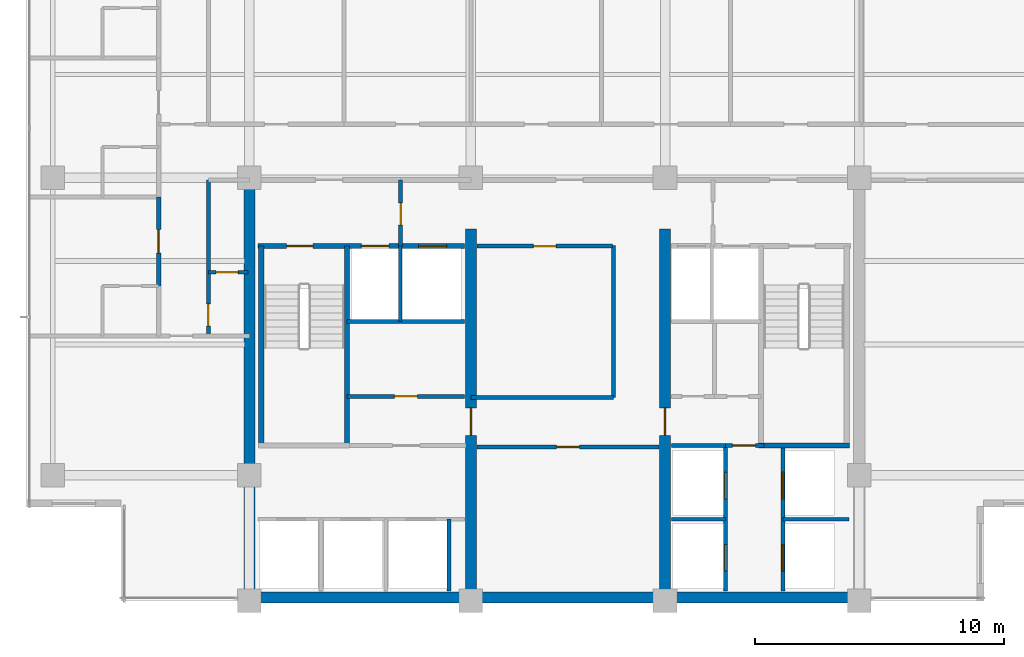
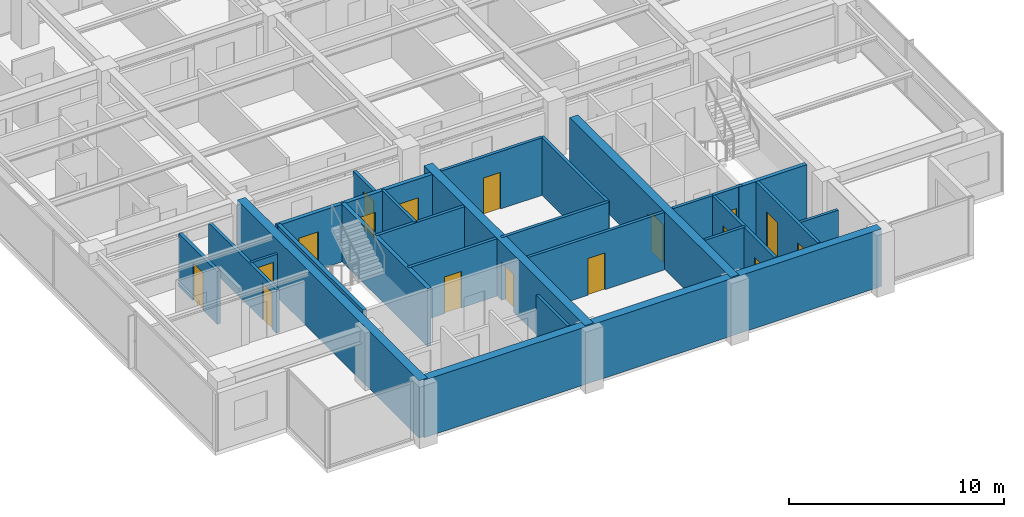
# One storey, part 7 of 15: 26 walls, 17 doors, 17 openings.
"""IFC4 building model written with IfcOpenShell, lengths in metres."""

from ifc_helpers import new_model, si_unit, direction, frame, frame_2d, origin, place, context, subcontext, project, spatial, rectangle, extrude, material, layer, layer_set, type_object, element, fill, save


model = new_model("IFC4")

# Units and contexts
model_context = context("Model", 3, precision=1e-05, world=origin(), true_north=direction((0.0, 1.0)))
body_context = subcontext(model_context, "Body", "Model", "MODEL_VIEW")
ifc_project = project(units=[si_unit("LENGTHUNIT", "METRE"), si_unit("AREAUNIT", "SQUARE_METRE"), si_unit("VOLUMEUNIT", "CUBIC_METRE"), si_unit("PLANEANGLEUNIT", "RADIAN"), si_unit("MASSUNIT", "GRAM", prefix="KILO")], contexts=[model_context])

# Site, building, storey
site_placement = place(None, origin())
site = spatial("IfcSite", under=ifc_project, at=site_placement, CompositionType="ELEMENT")
building_placement = place(site_placement, origin())
building = spatial("IfcBuilding", under=site, at=building_placement, Name="Qalmaran Belvedere Hotel", CompositionType="ELEMENT")
storey_placement = place(building_placement, frame((0.0, 0.0, 203.89990234375)))
storey = spatial("IfcBuildingStorey", under=building, at=storey_placement, Name="L51", CompositionType="ELEMENT", Elevation=203.89990234375)

# Wall
ifc_material_1 = material(Name="Concrete C50/60", Category="concrete")
ifc_layer_1 = layer(ifc_material_1, 0.449951171875, Name="Concrete C50/60")
ifc_layer_set_1 = layer_set([ifc_layer_1], Name="Concrete C50/60")
wall_type_1 = type_object("IfcWallType", Name="WL-CORE-450-C50", PredefinedType="SHEAR", material=ifc_layer_set_1)
wall_1_placement = place(storey_placement, frame((20.300048828125, 3.5, 0.0), z_axis=(0.0, 0.0, 1.0), x_axis=(0.0, 1.0, 0.0)))
element("IfcWall", 1, at=wall_1_placement, inside=storey, type_object=wall_type_1, Name="L51 West Core Shear Wall", PredefinedType="SHEAR", context=body_context, shape_type="SweptSolid", body=[
    extrude(rectangle(XDim=16.89990234375, YDim=0.449951171875, at=frame_2d((8.449951171875, 0.0))), origin(), (0.0, 0.0, 1.0), 3.260009765625),
])

# Wall, opening, door
wall_2_placement = place(storey_placement, frame((29.199951171875, 3.5, 0.0), z_axis=(0.0, 0.0, 1.0), x_axis=(0.0, 1.0, 0.0)))
wall_2 = element("IfcWall", 2, at=wall_2_placement, inside=storey, type_object=wall_type_1, Name="L51 Core West Spine Shear Wall", PredefinedType="SHEAR", context=body_context, shape_type="SweptSolid", body=[
    extrude(rectangle(XDim=14.949951171875, YDim=0.449951171875, at=frame_2d((7.47509765625, 0.0))), origin(), (0.0, 0.0, 1.0), 3.260009765625),
])
opening_1_placement = place(wall_2_placement, frame((7.75, 0.0, 0.0), z_axis=(0.0, 0.0, 1.0), x_axis=(-1.0, 0.0, 0.0)))
opening_1 = element("IfcOpeningElement", 3, at=opening_1_placement, cuts=wall_2, Name="Opening FD90", PredefinedType="OPENING", context=body_context, shape_type="SweptSolid", body=[
    extrude(rectangle(XDim=1.10009765625, YDim=2.14990234375, at=frame_2d((0.550048828125, 1.074951171875))), frame((0.0, 0.23486328125, 0.0), z_axis=(0.0, -1.0, 0.0), x_axis=(1.0, 0.0, 0.0)), (0.0, 0.0, 1.0), 0.469970703125),
])
ifc_material_2 = material(Name="Steel S355JR", Category="steel")
door_type_1 = type_object("IfcDoorType", Name="DR-FD90-1100X2150", OperationType="NOTDEFINED", PredefinedType="DOOR", material=ifc_material_2)
door_1_placement = place(opening_1_placement, origin())
door_1 = element("IfcDoor", 4, at=door_1_placement, inside=storey, type_object=door_type_1, Name="L51 Core West Cross-Lobby Door", OperationType="SINGLE_SWING_LEFT", OverallHeight=2.14990234375, OverallWidth=1.10009765625, PredefinedType="DOOR", context=body_context, shape_type="SweptSolid", body=[
    extrude(rectangle(XDim=1.10009765625, YDim=2.14990234375, at=frame_2d((0.550048828125, 1.074951171875))), frame((0.0, 0.02490234375, 0.0), z_axis=(0.0, -1.0, 0.0), x_axis=(1.0, 0.0, 0.0)), (0.0, 0.0, 1.0), 0.050048828125),
])
fill(opening_1, door_1)

wall_3_placement = place(storey_placement, frame((37.0, 3.5, 0.0), z_axis=(0.0, 0.0, 1.0), x_axis=(0.0, 1.0, 0.0)))
wall_3 = element("IfcWall", 5, at=wall_3_placement, inside=storey, type_object=wall_type_1, Name="L51 Core East Spine Shear Wall", PredefinedType="SHEAR", context=body_context, shape_type="SweptSolid", body=[
    extrude(rectangle(XDim=14.949951171875, YDim=0.449951171875, at=frame_2d((7.47509765625, 0.0))), origin(), (0.0, 0.0, 1.0), 3.260009765625),
])
opening_2_placement = place(wall_3_placement, frame((6.64990234375, 0.0, 0.0)))
opening_2 = element("IfcOpeningElement", 6, at=opening_2_placement, cuts=wall_3, Name="Opening FD90", PredefinedType="OPENING", context=body_context, shape_type="SweptSolid", body=[
    extrude(rectangle(XDim=1.10009765625, YDim=2.14990234375, at=frame_2d((0.550048828125, 1.074951171875))), frame((0.0, 0.23486328125, 0.0), z_axis=(0.0, -1.0, 0.0), x_axis=(1.0, 0.0, 0.0)), (0.0, 0.0, 1.0), 0.469970703125),
])
door_2_placement = place(opening_2_placement, origin())
door_2 = element("IfcDoor", 7, at=door_2_placement, inside=storey, type_object=door_type_1, Name="L51 Core East Cross-Lobby Door", OperationType="SINGLE_SWING_RIGHT", OverallHeight=2.14990234375, OverallWidth=1.10009765625, PredefinedType="DOOR", context=body_context, shape_type="SweptSolid", body=[
    extrude(rectangle(XDim=1.10009765625, YDim=2.14990234375, at=frame_2d((0.550048828125, 1.074951171875))), frame((0.0, 0.02490234375, 0.0), z_axis=(0.0, -1.0, 0.0), x_axis=(1.0, 0.0, 0.0)), (0.0, 0.0, 1.0), 0.050048828125),
])
fill(opening_2, door_2)

# Wall
ifc_layer_2 = layer(ifc_material_1, 0.43994140625, Name="Concrete C50/60")
ifc_layer_set_2 = layer_set([ifc_layer_2], Name="Concrete C50/60")
wall_type_2 = type_object("IfcWallType", Name="WL-CORES-440-EXT", PredefinedType="SHEAR", material=ifc_layer_set_2)
wall_4_placement = place(storey_placement, frame((20.300048828125, 3.6298828125, 0.0), z_axis=(0.0, 0.0, 1.0), x_axis=(1.0, 0.0, 0.0)))
element("IfcWall", 8, at=wall_4_placement, inside=storey, type_object=wall_type_2, Name="L51 South Core Shear Wall", PredefinedType="SHEAR", context=body_context, shape_type="SweptSolid", body=[
    extrude(rectangle(XDim=24.5, YDim=0.43994140625, at=frame_2d((12.25, 0.0))), origin(), (0.0, 0.0, 1.0), 3.260009765625),
])

# Wall, opening, door
ifc_material_3 = material(Name="Gypsum Stud Partition")
ifc_layer_3 = layer(ifc_material_3, 0.139892578125, Name="Gypsum Stud Partition")
ifc_layer_set_3 = layer_set([ifc_layer_3], Name="Gypsum Stud Partition")
wall_type_3 = type_object("IfcWallType", Name="WL-INT-140-NR", PredefinedType="PARTITIONING", material=ifc_layer_set_3)
wall_5_placement = place(storey_placement, frame((18.64990234375, 16.699951171875, 0.0), z_axis=(0.0, 0.0, 1.0), x_axis=(1.0, 0.0, 0.0)))
wall_5 = element("IfcWall", 9, at=wall_5_placement, inside=storey, type_object=wall_type_3, Name="L51 Partition WL-L51-WCLSUB", PredefinedType="PARTITIONING", context=body_context, shape_type="SweptSolid", body=[
    extrude(rectangle(XDim=1.60009765625, YDim=0.139892578125, at=frame_2d((0.800048828125, 0.0))), origin(), (0.0, 0.0, 1.0), 2.47216796875),
])
opening_3_placement = place(wall_5_placement, frame((1.193115234375, 0.0, 0.0), z_axis=(0.0, 0.0, 1.0), x_axis=(-1.0, 0.0, 0.0)))
opening_3 = element("IfcOpeningElement", 10, at=opening_3_placement, cuts=wall_5, Name="Opening D-BATH", PredefinedType="OPENING", context=body_context, shape_type="SweptSolid", body=[
    extrude(rectangle(XDim=0.8798828125, YDim=2.080078125, at=frame_2d((0.43994140625, 1.0400390625))), frame((0.0, 0.080078125, 0.0), z_axis=(0.0, -1.0, 0.0), x_axis=(1.0, 0.0, 0.0)), (0.0, 0.0, 1.0), 0.159912109375),
])
ifc_material_4 = material(Name="Engineered Oak Veneer")
door_type_2 = type_object("IfcDoorType", Name="DR-INT-BATH-880X2080", OperationType="NOTDEFINED", PredefinedType="DOOR", material=ifc_material_4)
door_3_placement = place(opening_3_placement, origin())
door_3 = element("IfcDoor", 11, at=door_3_placement, inside=storey, type_object=door_type_2, Name="L51 Closet Alcove Door", OperationType="SINGLE_SWING_LEFT", OverallHeight=2.080078125, OverallWidth=0.8798828125, PredefinedType="DOOR", context=body_context, shape_type="SweptSolid", body=[
    extrude(rectangle(XDim=0.8798828125, YDim=2.080078125, at=frame_2d((0.43994140625, 1.0400390625))), frame((0.0, 0.02490234375, 0.0), z_axis=(0.0, -1.0, 0.0), x_axis=(1.0, 0.0, 0.0)), (0.0, 0.0, 1.0), 0.050048828125),
])
fill(opening_3, door_3)

# Walls
ifc_layer_4 = layer(ifc_material_3, 0.14990234375, Name="Gypsum Stud Partition")
ifc_layer_set_4 = layer_set([ifc_layer_4], Name="Gypsum Stud Partition")
wall_type_4 = type_object("IfcWallType", Name="WL-INT-150-EI120", PredefinedType="PARTITIONING", material=ifc_layer_set_4)
wall_6_placement = place(storey_placement, frame((26.360107421875, 14.719970703125, 0.0), z_axis=(0.0, 0.0, 1.0), x_axis=(0.0, 1.0, 0.0)))
element("IfcWall", 12, at=wall_6_placement, inside=storey, type_object=wall_type_4, Name="L51 Partition WL-FF1M-L51", PredefinedType="PARTITIONING", context=body_context, shape_type="SweptSolid", body=[
    extrude(rectangle(XDim=3.0400390625, YDim=0.14990234375, at=frame_2d((1.52001953125, 0.0))), origin(), (0.0, 0.0, 1.0), 3.260009765625),
])
wall_7_placement = place(storey_placement, frame((28.320068359375, 3.89990234375, 0.0), z_axis=(0.0, 0.0, 1.0), x_axis=(0.0, 1.0, 0.0)))
element("IfcWall", 13, at=wall_7_placement, inside=storey, type_object=wall_type_4, Name="L51 Partition WL-POM3-L51", PredefinedType="PARTITIONING", context=body_context, shape_type="SweptSolid", body=[
    extrude(rectangle(XDim=2.880126953125, YDim=0.14990234375, at=frame_2d((1.43994140625, 0.0))), origin(), (0.0, 0.0, 1.0), 3.260009765625),
])
wall_8_placement = place(storey_placement, frame((37.25, 6.780029296875, 0.0), z_axis=(0.0, 0.0, 1.0), x_axis=(1.0, 0.0, 0.0)))
element("IfcWall", 14, at=wall_8_placement, inside=storey, type_object=wall_type_4, Name="L51 Partition WL-PHMW-L51", PredefinedType="PARTITIONING", context=body_context, shape_type="SweptSolid", body=[
    extrude(rectangle(XDim=2.169921875, YDim=0.14990234375, at=frame_2d((1.0849609375, 0.0))), origin(), (0.0, 0.0, 1.0), 3.260009765625),
])
wall_9_placement = place(storey_placement, frame((41.739990234375, 6.780029296875, 0.0), z_axis=(0.0, 0.0, 1.0), x_axis=(1.0, 0.0, 0.0)))
element("IfcWall", 15, at=wall_9_placement, inside=storey, type_object=wall_type_4, Name="L51 Partition WL-PHME-L51", PredefinedType="PARTITIONING", context=body_context, shape_type="SweptSolid", body=[
    extrude(rectangle(XDim=2.659912109375, YDim=0.14990234375, at=frame_2d((1.330078125, 0.0))), origin(), (0.0, 0.0, 1.0), 2.47216796875),
])

# Wall, opening, door
ifc_layer_5 = layer(ifc_material_3, 0.159912109375, Name="Gypsum Stud Partition")
ifc_layer_set_5 = layer_set([ifc_layer_5], Name="Gypsum Stud Partition")
wall_type_5 = type_object("IfcWallType", Name="WL-INT-160-EI120", PredefinedType="PARTITIONING", material=ifc_layer_set_5)
wall_10_placement = place(storey_placement, frame((26.3798828125, 17.760009765625, 0.0), z_axis=(0.0, 0.0, 1.0), x_axis=(0.0, 1.0, 0.0)))
wall_10 = element("IfcWall", 16, at=wall_10_placement, inside=storey, type_object=wall_type_5, Name="L51 Partition WL-FFSV1-L51", PredefinedType="PARTITIONING", context=body_context, shape_type="SweptSolid", body=[
    extrude(rectangle(XDim=2.659912109375, YDim=0.159912109375, at=frame_2d((1.330078125, 0.0))), origin(), (0.0, 0.0, 1.0), 2.7060546875),
])
opening_4_placement = place(wall_10_placement, frame((0.85009765625, 0.0, 0.0)))
opening_4 = element("IfcOpeningElement", 17, at=opening_4_placement, cuts=wall_10, Name="Opening FD60B", PredefinedType="OPENING", context=body_context, shape_type="SweptSolid", body=[
    extrude(rectangle(XDim=0.8798828125, YDim=2.080078125, at=frame_2d((0.43994140625, 1.0400390625))), frame((0.0, 0.08984375, 0.0), z_axis=(0.0, -1.0, 0.0), x_axis=(1.0, 0.0, 0.0)), (0.0, 0.0, 1.0), 0.179931640625),
])
door_type_3 = type_object("IfcDoorType", Name="DR-FD60B-880X2080", OperationType="NOTDEFINED", PredefinedType="DOOR", material=ifc_material_2)
door_4_placement = place(opening_4_placement, origin())
door_4 = element("IfcDoor", 18, at=door_4_placement, inside=storey, type_object=door_type_3, Name="L51 Service Lobby West Door", OperationType="SINGLE_SWING_LEFT", OverallHeight=2.080078125, OverallWidth=0.8798828125, PredefinedType="DOOR", context=body_context, shape_type="SweptSolid", body=[
    extrude(rectangle(XDim=0.8798828125, YDim=2.080078125, at=frame_2d((0.43994140625, 1.0400390625))), frame((0.0, 0.02490234375, 0.0), z_axis=(0.0, -1.0, 0.0), x_axis=(1.0, 0.0, 0.0)), (0.0, 0.0, 1.0), 0.050048828125),
])
fill(opening_4, door_4)

# Wall
wall_11_placement = place(storey_placement, frame((24.219970703125, 14.719970703125, 0.0), z_axis=(0.0, 0.0, 1.0), x_axis=(1.0, 0.0, 0.0)))
element("IfcWall", 19, at=wall_11_placement, inside=storey, type_object=wall_type_5, Name="L51 Partition WL-FF1S-L51", PredefinedType="PARTITIONING", context=body_context, shape_type="SweptSolid", body=[
    extrude(rectangle(XDim=4.72998046875, YDim=0.159912109375, at=frame_2d((2.364990234375, 0.0))), origin(), (0.0, 0.0, 1.0), 3.260009765625),
])

# Wall, openings, doors
wall_12_placement = place(storey_placement, frame((39.419921875, 3.89990234375, 0.0), z_axis=(0.0, 0.0, 1.0), x_axis=(0.0, 1.0, 0.0)))
wall_12 = element("IfcWall", 20, at=wall_12_placement, inside=storey, type_object=wall_type_5, Name="L51 Partition WL-PHW-L51", PredefinedType="PARTITIONING", context=body_context, shape_type="SweptSolid", body=[
    extrude(rectangle(XDim=5.840087890625, YDim=0.159912109375, at=frame_2d((2.919921875, 0.0))), origin(), (0.0, 0.0, 1.0), 3.260009765625),
])
opening_5_placement = place(wall_12_placement, frame((1.860107421875, 0.0, 0.0), z_axis=(0.0, 0.0, 1.0), x_axis=(-1.0, 0.0, 0.0)))
opening_5 = element("IfcOpeningElement", 21, at=opening_5_placement, cuts=wall_12, Name="Opening LD-P2", PredefinedType="OPENING", context=body_context, shape_type="SweptSolid", body=[
    extrude(rectangle(XDim=1.06005859375, YDim=2.159912109375, at=frame_2d((0.530029296875, 1.080078125))), frame((0.0, 0.08984375, 0.0), z_axis=(0.0, -1.0, 0.0), x_axis=(1.0, 0.0, 0.0)), (0.0, 0.0, 1.0), 0.179931640625),
])
opening_6_placement = place(wall_12_placement, frame((4.760009765625, 0.0, 0.0), z_axis=(0.0, 0.0, 1.0), x_axis=(-1.0, 0.0, 0.0)))
opening_6 = element("IfcOpeningElement", 22, at=opening_6_placement, cuts=wall_12, Name="Opening LD-P2", PredefinedType="OPENING", context=body_context, shape_type="SweptSolid", body=[
    extrude(rectangle(XDim=1.06005859375, YDim=2.159912109375, at=frame_2d((0.530029296875, 1.080078125))), frame((0.0, 0.08984375, 0.0), z_axis=(0.0, -1.0, 0.0), x_axis=(1.0, 0.0, 0.0)), (0.0, 0.0, 1.0), 0.179931640625),
])
ifc_material_5 = material(Name="Stainless Steel 1.4401", Category="steel")
door_type_4 = type_object("IfcDoorType", Name="DR-LIFT-P2-1060X2160", OperationType="DOUBLE_DOOR_SLIDING", PredefinedType="DOOR", material=ifc_material_5)
door_5_placement = place(opening_5_placement, origin())
door_5 = element("IfcDoor", 23, at=door_5_placement, inside=storey, type_object=door_type_4, Name="L51 PH1 Lift Landing Door", OperationType="DOUBLE_DOOR_SLIDING", OverallHeight=2.159912109375, OverallWidth=1.06005859375, PredefinedType="DOOR", context=body_context, shape_type="SweptSolid", body=[
    extrude(rectangle(XDim=1.06005859375, YDim=2.159912109375, at=frame_2d((0.530029296875, 1.080078125))), frame((0.0, 0.02490234375, 0.0), z_axis=(0.0, -1.0, 0.0), x_axis=(1.0, 0.0, 0.0)), (0.0, 0.0, 1.0), 0.050048828125),
])
fill(opening_5, door_5)
door_6_placement = place(opening_6_placement, origin())
door_6 = element("IfcDoor", 24, at=door_6_placement, inside=storey, type_object=door_type_4, Name="L51 PH2 Lift Landing Door", OperationType="DOUBLE_DOOR_SLIDING", OverallHeight=2.159912109375, OverallWidth=1.06005859375, PredefinedType="DOOR", context=body_context, shape_type="SweptSolid", body=[
    extrude(rectangle(XDim=1.06005859375, YDim=2.159912109375, at=frame_2d((0.530029296875, 1.080078125))), frame((0.0, 0.02490234375, 0.0), z_axis=(0.0, -1.0, 0.0), x_axis=(1.0, 0.0, 0.0)), (0.0, 0.0, 1.0), 0.050048828125),
])
fill(opening_6, door_6)

wall_13_placement = place(storey_placement, frame((41.739990234375, 3.89990234375, 0.0), z_axis=(0.0, 0.0, 1.0), x_axis=(0.0, 1.0, 0.0)))
wall_13 = element("IfcWall", 25, at=wall_13_placement, inside=storey, type_object=wall_type_5, Name="L51 Partition WL-PHE-L51", PredefinedType="PARTITIONING", context=body_context, shape_type="SweptSolid", body=[
    extrude(rectangle(XDim=5.840087890625, YDim=0.159912109375, at=frame_2d((2.919921875, 0.0))), origin(), (0.0, 0.0, 1.0), 3.260009765625),
])
opening_7_placement = place(wall_13_placement, frame((0.800048828125, 0.0, 0.0)))
opening_7 = element("IfcOpeningElement", 26, at=opening_7_placement, cuts=wall_13, Name="Opening LD-P2", PredefinedType="OPENING", context=body_context, shape_type="SweptSolid", body=[
    extrude(rectangle(XDim=1.06005859375, YDim=2.159912109375, at=frame_2d((0.530029296875, 1.080078125))), frame((0.0, 0.08984375, 0.0), z_axis=(0.0, -1.0, 0.0), x_axis=(1.0, 0.0, 0.0)), (0.0, 0.0, 1.0), 0.179931640625),
])
opening_8_placement = place(wall_13_placement, frame((3.699951171875, 0.0, 0.0)))
opening_8 = element("IfcOpeningElement", 27, at=opening_8_placement, cuts=wall_13, Name="Opening LD-P2", PredefinedType="OPENING", context=body_context, shape_type="SweptSolid", body=[
    extrude(rectangle(XDim=1.06005859375, YDim=2.159912109375, at=frame_2d((0.530029296875, 1.080078125))), frame((0.0, 0.08984375, 0.0), z_axis=(0.0, -1.0, 0.0), x_axis=(1.0, 0.0, 0.0)), (0.0, 0.0, 1.0), 0.179931640625),
])
door_7_placement = place(opening_7_placement, origin())
door_7 = element("IfcDoor", 28, at=door_7_placement, inside=storey, type_object=door_type_4, Name="L51 PH3 Lift Landing Door", OperationType="DOUBLE_DOOR_SLIDING", OverallHeight=2.159912109375, OverallWidth=1.06005859375, PredefinedType="DOOR", context=body_context, shape_type="SweptSolid", body=[
    extrude(rectangle(XDim=1.06005859375, YDim=2.159912109375, at=frame_2d((0.530029296875, 1.080078125))), frame((0.0, 0.02490234375, 0.0), z_axis=(0.0, -1.0, 0.0), x_axis=(1.0, 0.0, 0.0)), (0.0, 0.0, 1.0), 0.050048828125),
])
fill(opening_7, door_7)
door_8_placement = place(opening_8_placement, origin())
door_8 = element("IfcDoor", 29, at=door_8_placement, inside=storey, type_object=door_type_4, Name="L51 PH4 Lift Landing Door", OperationType="DOUBLE_DOOR_SLIDING", OverallHeight=2.159912109375, OverallWidth=1.06005859375, PredefinedType="DOOR", context=body_context, shape_type="SweptSolid", body=[
    extrude(rectangle(XDim=1.06005859375, YDim=2.159912109375, at=frame_2d((0.530029296875, 1.080078125))), frame((0.0, 0.02490234375, 0.0), z_axis=(0.0, -1.0, 0.0), x_axis=(1.0, 0.0, 0.0)), (0.0, 0.0, 1.0), 0.050048828125),
])
fill(opening_8, door_8)

# Wall
wall_14_placement = place(storey_placement, frame((37.25, 9.739990234375, 0.0), z_axis=(0.0, 0.0, 1.0), x_axis=(1.0, 0.0, 0.0)))
element("IfcWall", 30, at=wall_14_placement, inside=storey, type_object=wall_type_5, Name="L51 Partition WL-PHNW-L51", PredefinedType="PARTITIONING", context=body_context, shape_type="SweptSolid", body=[
    extrude(rectangle(XDim=2.169921875, YDim=0.159912109375, at=frame_2d((1.0849609375, 0.0))), origin(), (0.0, 0.0, 1.0), 3.260009765625),
])

# Wall, opening, door
wall_15_placement = place(storey_placement, frame((39.419921875, 9.739990234375, 0.0), z_axis=(0.0, 0.0, 1.0), x_axis=(1.0, 0.0, 0.0)))
wall_15 = element("IfcWall", 31, at=wall_15_placement, inside=storey, type_object=wall_type_5, Name="L51 Partition WL-PHNL-L51", PredefinedType="PARTITIONING", context=body_context, shape_type="SweptSolid", body=[
    extrude(rectangle(XDim=1.56005859375, YDim=0.159912109375, at=frame_2d((0.780029296875, 0.0))), origin(), (0.0, 0.0, 1.0), 3.260009765625),
])
opening_9_placement = place(wall_15_placement, frame((0.300048828125, 0.0, 0.0)))
opening_9 = element("IfcOpeningElement", 32, at=opening_9_placement, cuts=wall_15, Name="Opening FD60S1", PredefinedType="OPENING", context=body_context, shape_type="SweptSolid", body=[
    extrude(rectangle(XDim=0.919921875, YDim=2.080078125, at=frame_2d((0.4599609375, 1.0400390625))), frame((0.0, 0.08984375, 0.0), z_axis=(0.0, -1.0, 0.0), x_axis=(1.0, 0.0, 0.0)), (0.0, 0.0, 1.0), 0.179931640625),
])
door_type_5 = type_object("IfcDoorType", Name="DR-FD60S-920X2080", OperationType="NOTDEFINED", PredefinedType="DOOR", material=ifc_material_4)
door_9_placement = place(opening_9_placement, origin())
door_9 = element("IfcDoor", 33, at=door_9_placement, inside=storey, type_object=door_type_5, Name="L51 High-Rise Lift Lobby Passage Door", OperationType="SINGLE_SWING_RIGHT", OverallHeight=2.080078125, OverallWidth=0.919921875, PredefinedType="DOOR", context=body_context, shape_type="SweptSolid", body=[
    extrude(rectangle(XDim=0.919921875, YDim=2.080078125, at=frame_2d((0.4599609375, 1.0400390625))), frame((0.0, 0.02490234375, 0.0), z_axis=(0.0, -1.0, 0.0), x_axis=(1.0, 0.0, 0.0)), (0.0, 0.0, 1.0), 0.050048828125),
])
fill(opening_9, door_9)

ifc_layer_6 = layer(ifc_material_3, 0.159912109375, Name="Gypsum Stud Partition")
ifc_layer_set_6 = layer_set([ifc_layer_6], Name="Gypsum Stud Partition")
wall_type_6 = type_object("IfcWallType", Name="WL-INT-160-EI60", PredefinedType="PARTITIONING", material=ifc_layer_set_6)
wall_16_placement = place(storey_placement, frame((24.219970703125, 11.719970703125, 0.0), z_axis=(0.0, 0.0, 1.0), x_axis=(1.0, 0.0, 0.0)))
wall_16 = element("IfcWall", 34, at=wall_16_placement, inside=storey, type_object=wall_type_6, Name="L51 Partition WL-L51-KWE1", PredefinedType="PARTITIONING", context=body_context, shape_type="SweptSolid", body=[
    extrude(rectangle(XDim=4.72998046875, YDim=0.159912109375, at=frame_2d((2.364990234375, 0.0))), origin(), (0.0, 0.0, 1.0), 3.260009765625),
])
opening_10_placement = place(wall_16_placement, frame((1.905029296875, 0.0, 0.0)))
opening_10 = element("IfcOpeningElement", 35, at=opening_10_placement, cuts=wall_16, Name="Opening FD60S1", PredefinedType="OPENING", context=body_context, shape_type="SweptSolid", body=[
    extrude(rectangle(XDim=0.919921875, YDim=2.080078125, at=frame_2d((0.4599609375, 1.0400390625))), frame((0.0, 0.08984375, 0.0), z_axis=(0.0, -1.0, 0.0), x_axis=(1.0, 0.0, 0.0)), (0.0, 0.0, 1.0), 0.179931640625),
])
door_10_placement = place(opening_10_placement, origin())
door_10 = element("IfcDoor", 36, at=door_10_placement, inside=storey, type_object=door_type_5, Name="L51 Electrical Distribution Room Door", OperationType="SINGLE_SWING_RIGHT", OverallHeight=2.080078125, OverallWidth=0.919921875, PredefinedType="DOOR", context=body_context, shape_type="SweptSolid", body=[
    extrude(rectangle(XDim=0.919921875, YDim=2.080078125, at=frame_2d((0.4599609375, 1.0400390625))), frame((0.0, 0.02490234375, 0.0), z_axis=(0.0, -1.0, 0.0), x_axis=(1.0, 0.0, 0.0)), (0.0, 0.0, 1.0), 0.050048828125),
])
fill(opening_10, door_10)

# Wall
wall_17_placement = place(storey_placement, frame((34.919921875, 11.679931640625, 0.0), z_axis=(0.0, 0.0, 1.0), x_axis=(0.0, 1.0, 0.0)))
element("IfcWall", 37, at=wall_17_placement, inside=storey, type_object=wall_type_6, Name="L51 Partition WL-CLLV-L51", PredefinedType="PARTITIONING", context=body_context, shape_type="SweptSolid", body=[
    extrude(rectangle(XDim=6.10009765625, YDim=0.159912109375, at=frame_2d((3.050048828125, 0.0))), origin(), (0.0, 0.0, 1.0), 3.260009765625),
])

# Wall, opening, door
wall_18_placement = place(storey_placement, frame((29.449951171875, 9.679931640625, 0.0), z_axis=(0.0, 0.0, 1.0), x_axis=(1.0, 0.0, 0.0)))
wall_18 = element("IfcWall", 38, at=wall_18_placement, inside=storey, type_object=wall_type_6, Name="L51 Partition WL-L51-KPLE1", PredefinedType="PARTITIONING", context=body_context, shape_type="SweptSolid", body=[
    extrude(rectangle(XDim=7.300048828125, YDim=0.159912109375, at=frame_2d((3.64990234375, 0.0))), origin(), (0.0, 0.0, 1.0), 3.260009765625),
])
opening_11_placement = place(wall_18_placement, frame((4.10986328125, 0.0, 0.0), z_axis=(0.0, 0.0, 1.0), x_axis=(-1.0, 0.0, 0.0)))
opening_11 = element("IfcOpeningElement", 39, at=opening_11_placement, cuts=wall_18, Name="Opening FD60S1", PredefinedType="OPENING", context=body_context, shape_type="SweptSolid", body=[
    extrude(rectangle(XDim=0.919921875, YDim=2.080078125, at=frame_2d((0.4599609375, 1.0400390625))), frame((0.0, 0.08984375, 0.0), z_axis=(0.0, -1.0, 0.0), x_axis=(1.0, 0.0, 0.0)), (0.0, 0.0, 1.0), 0.179931640625),
])
door_11_placement = place(opening_11_placement, origin())
door_11 = element("IfcDoor", 40, at=door_11_placement, inside=storey, type_object=door_type_5, Name="L51 Housekeeping and Linen Room Door", OperationType="SINGLE_SWING_LEFT", OverallHeight=2.080078125, OverallWidth=0.919921875, PredefinedType="DOOR", context=body_context, shape_type="SweptSolid", body=[
    extrude(rectangle(XDim=0.919921875, YDim=2.080078125, at=frame_2d((0.4599609375, 1.0400390625))), frame((0.0, 0.02490234375, 0.0), z_axis=(0.0, -1.0, 0.0), x_axis=(1.0, 0.0, 0.0)), (0.0, 0.0, 1.0), 0.050048828125),
])
fill(opening_11, door_11)

# Wall
wall_19_placement = place(storey_placement, frame((29.199951171875, 11.679931640625, 0.0), z_axis=(0.0, 0.0, 1.0), x_axis=(1.0, 0.0, 0.0)))
element("IfcWall", 41, at=wall_19_placement, inside=storey, type_object=wall_type_6, Name="L51 Partition WL-PMFS-L51", PredefinedType="PARTITIONING", context=body_context, shape_type="SweptSolid", body=[
    extrude(rectangle(XDim=5.719970703125, YDim=0.159912109375, at=frame_2d((2.85986328125, 0.0))), origin(), (0.0, 0.0, 1.0), 3.260009765625),
])

# Wall, opening, door
wall_20_placement = place(storey_placement, frame((29.449951171875, 17.75, 0.0), z_axis=(0.0, 0.0, 1.0), x_axis=(1.0, 0.0, 0.0)))
wall_20 = element("IfcWall", 42, at=wall_20_placement, inside=storey, type_object=wall_type_6, Name="L51 Partition WL-L51-KPME1", PredefinedType="PARTITIONING", context=body_context, shape_type="SweptSolid", body=[
    extrude(rectangle(XDim=5.429931640625, YDim=0.159912109375, at=frame_2d((2.71484375, 0.0))), origin(), (0.0, 0.0, 1.0), 3.260009765625),
])
opening_12_placement = place(wall_20_placement, frame((3.1748046875, 0.0, 0.0), z_axis=(0.0, 0.0, 1.0), x_axis=(-1.0, 0.0, 0.0)))
opening_12 = element("IfcOpeningElement", 43, at=opening_12_placement, cuts=wall_20, Name="Opening FD60S1", PredefinedType="OPENING", context=body_context, shape_type="SweptSolid", body=[
    extrude(rectangle(XDim=0.919921875, YDim=2.080078125, at=frame_2d((0.4599609375, 1.0400390625))), frame((0.0, 0.08984375, 0.0), z_axis=(0.0, -1.0, 0.0), x_axis=(1.0, 0.0, 0.0)), (0.0, 0.0, 1.0), 0.179931640625),
])
door_12_placement = place(opening_12_placement, origin())
door_12 = element("IfcDoor", 44, at=door_12_placement, inside=storey, type_object=door_type_5, Name="L51 Executive Butler Pantry Door", OperationType="SINGLE_SWING_RIGHT", OverallHeight=2.080078125, OverallWidth=0.919921875, PredefinedType="DOOR", context=body_context, shape_type="SweptSolid", body=[
    extrude(rectangle(XDim=0.919921875, YDim=2.080078125, at=frame_2d((0.4599609375, 1.0400390625))), frame((0.0, 0.02490234375, 0.0), z_axis=(0.0, -1.0, 0.0), x_axis=(1.0, 0.0, 0.0)), (0.0, 0.0, 1.0), 0.050048828125),
])
fill(opening_12, door_12)

wall_21_placement = place(storey_placement, frame((18.64990234375, 14.14990234375, 0.0), z_axis=(0.0, 0.0, 1.0), x_axis=(0.0, 1.0, 0.0)))
wall_21 = element("IfcWall", 45, at=wall_21_placement, inside=storey, type_object=wall_type_6, Name="L51 Partition WL-L51-WCL", PredefinedType="PARTITIONING", context=body_context, shape_type="SweptSolid", body=[
    extrude(rectangle(XDim=6.27001953125, YDim=0.159912109375, at=frame_2d((3.135009765625, 0.0))), origin(), (0.0, 0.0, 1.0), 2.47216796875),
])
opening_13_placement = place(wall_21_placement, frame((1.27978515625, 0.0, 0.0), z_axis=(0.0, 0.0, 1.0), x_axis=(-1.0, 0.0, 0.0)))
opening_13 = element("IfcOpeningElement", 46, at=opening_13_placement, cuts=wall_21, Name="Opening FD60B", PredefinedType="OPENING", context=body_context, shape_type="SweptSolid", body=[
    extrude(rectangle(XDim=0.8798828125, YDim=2.080078125, at=frame_2d((0.43994140625, 1.0400390625))), frame((0.0, 0.08984375, 0.0), z_axis=(0.0, -1.0, 0.0), x_axis=(1.0, 0.0, 0.0)), (0.0, 0.0, 1.0), 0.179931640625),
])
door_13_placement = place(opening_13_placement, origin())
door_13 = element("IfcDoor", 47, at=door_13_placement, inside=storey, type_object=door_type_3, Name="L51 West Closet Door", OperationType="SINGLE_SWING_RIGHT", OverallHeight=2.080078125, OverallWidth=0.8798828125, PredefinedType="DOOR", context=body_context, shape_type="SweptSolid", body=[
    extrude(rectangle(XDim=0.8798828125, YDim=2.080078125, at=frame_2d((0.43994140625, 1.0400390625))), frame((0.0, 0.02490234375, 0.0), z_axis=(0.0, -1.0, 0.0), x_axis=(1.0, 0.0, 0.0)), (0.0, 0.0, 1.0), 0.050048828125),
])
fill(opening_13, door_13)

ifc_layer_7 = layer(ifc_material_3, 0.179931640625, Name="Gypsum Stud Partition")
ifc_layer_set_7 = layer_set([ifc_layer_7], Name="Gypsum Stud Partition")
wall_type_7 = type_object("IfcWallType", Name="WL-INT-180-EI60", PredefinedType="PARTITIONING", material=ifc_layer_set_7)
wall_22_placement = place(storey_placement, frame((16.64990234375, 16.159912109375, 0.0), z_axis=(0.0, 0.0, 1.0), x_axis=(0.0, 1.0, 0.0)))
wall_22 = element("IfcWall", 48, at=wall_22_placement, inside=storey, type_object=wall_type_7, Name="L51 Partition WL-L51-WEC00", PredefinedType="PARTITIONING", context=body_context, shape_type="SweptSolid", body=[
    extrude(rectangle(XDim=3.573486328125, YDim=0.179931640625, at=frame_2d((1.78662109375, 0.0))), origin(), (0.0, 0.0, 1.0), 2.998046875),
])
opening_14_placement = place(wall_22_placement, frame((1.3115234375, 0.0, 0.0)))
opening_14 = element("IfcOpeningElement", 49, at=opening_14_placement, cuts=wall_22, Name="Opening FD60", PredefinedType="OPENING", context=body_context, shape_type="SweptSolid", body=[
    extrude(rectangle(XDim=0.949951171875, YDim=2.14990234375, at=frame_2d((0.47509765625, 1.074951171875))), frame((0.0, 0.10009765625, 0.0), z_axis=(0.0, -1.0, 0.0), x_axis=(1.0, 0.0, 0.0)), (0.0, 0.0, 1.0), 0.199951171875),
])
door_type_6 = type_object("IfcDoorType", Name="DR-FD60-950X2150", OperationType="NOTDEFINED", PredefinedType="DOOR", material=ifc_material_4)
door_14_placement = place(opening_14_placement, origin())
door_14 = element("IfcDoor", 50, at=door_14_placement, inside=storey, type_object=door_type_6, Name="L51 W Wing Door 01", OperationType="SINGLE_SWING_LEFT", OverallHeight=2.14990234375, OverallWidth=0.949951171875, PredefinedType="DOOR", context=body_context, shape_type="SweptSolid", body=[
    extrude(rectangle(XDim=0.949951171875, YDim=2.14990234375, at=frame_2d((0.47509765625, 1.074951171875))), frame((0.0, 0.02490234375, 0.0), z_axis=(0.0, -1.0, 0.0), x_axis=(1.0, 0.0, 0.0)), (0.0, 0.0, 1.0), 0.050048828125),
])
fill(opening_14, door_14)

# Walls
ifc_layer_8 = layer(ifc_material_1, 0.2099609375, Name="Concrete C50/60")
ifc_layer_set_8 = layer_set([ifc_layer_8], Name="Concrete C50/60")
wall_type_8 = type_object("IfcWallType", Name="WL-STAIR-210-C50", PredefinedType="SHEAR", material=ifc_layer_set_8)
for number, where, z_axis, x_axis, name in (
    (51, (20.77490234375, 9.7451171875, 0.0), (0.0, 0.0, 1.0), (0.0, 1.0, 0.0), "L51 Stair ST-1 West Bearing Wall"),
    (52, (24.22509765625, 9.7451171875, 0.0), (0.0, 0.0, 1.0), (0.0, 1.0, 0.0), "L51 Stair ST-1 East Bearing Wall"),
):
    element("IfcWall", number, at=place(storey_placement, frame(where, z_axis=z_axis, x_axis=x_axis)), inside=storey, type_object=wall_type_8, Name=name, PredefinedType="SHEAR", context=body_context, shape_type="SweptSolid", body=[
        extrude(rectangle(XDim=8.009765625, YDim=0.2099609375, at=frame_2d((4.0048828125, 0.0))), origin(), (0.0, 0.0, 1.0), 3.260009765625),
    ])

# Wall, openings, doors
wall_23_placement = place(storey_placement, frame((20.64990234375, 17.7548828125, 0.0), z_axis=(0.0, 0.0, 1.0), x_axis=(1.0, 0.0, 0.0)))
wall_23 = element("IfcWall", 53, at=wall_23_placement, inside=storey, type_object=wall_type_8, Name="L51 West Lobby and Stair ST-1 North Bearing Wall", PredefinedType="SHEAR", context=body_context, shape_type="SweptSolid", body=[
    extrude(rectangle(XDim=8.300048828125, YDim=0.2099609375, at=frame_2d((4.14990234375, 0.0))), origin(), (0.0, 0.0, 1.0), 3.260009765625),
])
opening_15_placement = place(wall_23_placement, frame((2.199951171875, 0.0, 0.0), z_axis=(0.0, 0.0, 1.0), x_axis=(-1.0, 0.0, 0.0)))
opening_15 = element("IfcOpeningElement", 54, at=opening_15_placement, cuts=wall_23, Name="Opening FD90S2", PredefinedType="OPENING", context=body_context, shape_type="SweptSolid", body=[
    extrude(rectangle(XDim=1.050048828125, YDim=2.14990234375, at=frame_2d((0.52490234375, 1.074951171875))), frame((0.0, 0.114990234375, 0.0), z_axis=(0.0, -1.0, 0.0), x_axis=(1.0, 0.0, 0.0)), (0.0, 0.0, 1.0), 0.22998046875),
])
opening_16_placement = place(wall_23_placement, frame((4.14990234375, 0.0, 0.0)))
opening_16 = element("IfcOpeningElement", 55, at=opening_16_placement, cuts=wall_23, Name="Opening LD-FF", PredefinedType="OPENING", context=body_context, shape_type="SweptSolid", body=[
    extrude(rectangle(XDim=1.10009765625, YDim=2.179931640625, at=frame_2d((0.550048828125, 1.08984375))), frame((0.0, 0.114990234375, 0.0), z_axis=(0.0, -1.0, 0.0), x_axis=(1.0, 0.0, 0.0)), (0.0, 0.0, 1.0), 0.22998046875),
])
opening_17_placement = place(wall_23_placement, frame((6.449951171875, 0.0, 0.0)))
opening_17 = element("IfcOpeningElement", 56, at=opening_17_placement, cuts=wall_23, Name="Opening LD-SV", PredefinedType="OPENING", context=body_context, shape_type="SweptSolid", body=[
    extrude(rectangle(XDim=1.1201171875, YDim=2.199951171875, at=frame_2d((0.56005859375, 1.10009765625))), frame((0.0, 0.114990234375, 0.0), z_axis=(0.0, -1.0, 0.0), x_axis=(1.0, 0.0, 0.0)), (0.0, 0.0, 1.0), 0.22998046875),
])
door_type_7 = type_object("IfcDoorType", Name="DR-FD90S-1050X2150", OperationType="NOTDEFINED", PredefinedType="DOOR", material=ifc_material_2)
door_15_placement = place(opening_15_placement, origin())
door_15 = element("IfcDoor", 57, at=door_15_placement, inside=storey, type_object=door_type_7, Name="L51 Stair ST-1 Door", OperationType="SINGLE_SWING_LEFT", OverallHeight=2.14990234375, OverallWidth=1.050048828125, PredefinedType="DOOR", context=body_context, shape_type="SweptSolid", body=[
    extrude(rectangle(XDim=1.050048828125, YDim=2.14990234375, at=frame_2d((0.52490234375, 1.074951171875))), frame((0.0, 0.02490234375, 0.0), z_axis=(0.0, -1.0, 0.0), x_axis=(1.0, 0.0, 0.0)), (0.0, 0.0, 1.0), 0.050048828125),
])
fill(opening_15, door_15)
door_type_8 = type_object("IfcDoorType", Name="DR-LIFT-FF-1100X2180", OperationType="DOUBLE_DOOR_SLIDING", PredefinedType="DOOR", material=ifc_material_5)
door_16_placement = place(opening_16_placement, origin())
door_16 = element("IfcDoor", 58, at=door_16_placement, inside=storey, type_object=door_type_8, Name="L51 FF1 Lift Landing Door", OperationType="DOUBLE_DOOR_SLIDING", OverallHeight=2.179931640625, OverallWidth=1.10009765625, PredefinedType="DOOR", context=body_context, shape_type="SweptSolid", body=[
    extrude(rectangle(XDim=1.10009765625, YDim=2.179931640625, at=frame_2d((0.550048828125, 1.08984375))), frame((0.0, 0.02490234375, 0.0), z_axis=(0.0, -1.0, 0.0), x_axis=(1.0, 0.0, 0.0)), (0.0, 0.0, 1.0), 0.050048828125),
])
fill(opening_16, door_16)
door_type_9 = type_object("IfcDoorType", Name="DR-LIFT-SV-1120X2200", OperationType="DOUBLE_DOOR_SLIDING", PredefinedType="DOOR", material=ifc_material_5)
door_17_placement = place(opening_17_placement, origin())
door_17 = element("IfcDoor", 59, at=door_17_placement, inside=storey, type_object=door_type_9, Name="L51 SV1 Lift Landing Door", OperationType="DOUBLE_DOOR_SLIDING", OverallHeight=2.199951171875, OverallWidth=1.1201171875, PredefinedType="DOOR", context=body_context, shape_type="SweptSolid", body=[
    extrude(rectangle(XDim=1.1201171875, YDim=2.199951171875, at=frame_2d((0.56005859375, 1.10009765625))), frame((0.0, 0.02490234375, 0.0), z_axis=(0.0, -1.0, 0.0), x_axis=(1.0, 0.0, 0.0)), (0.0, 0.0, 1.0), 0.050048828125),
])
fill(opening_17, door_17)

# Wall
wall_24_placement = place(storey_placement, frame((40.75, 9.7451171875, 0.0), z_axis=(0.0, 0.0, 1.0), x_axis=(1.0, 0.0, 0.0)))
element("IfcWall", 60, at=wall_24_placement, inside=storey, type_object=wall_type_8, Name="L51 Stair ST-2 South Bearing Wall", PredefinedType="SHEAR", context=body_context, shape_type="SweptSolid", body=[
    extrude(rectangle(XDim=3.659912109375, YDim=0.2099609375, at=frame_2d((1.830078125, 0.0))), origin(), (0.0, 0.0, 1.0), 3.260009765625),
])

save(model, "model.ifc")
